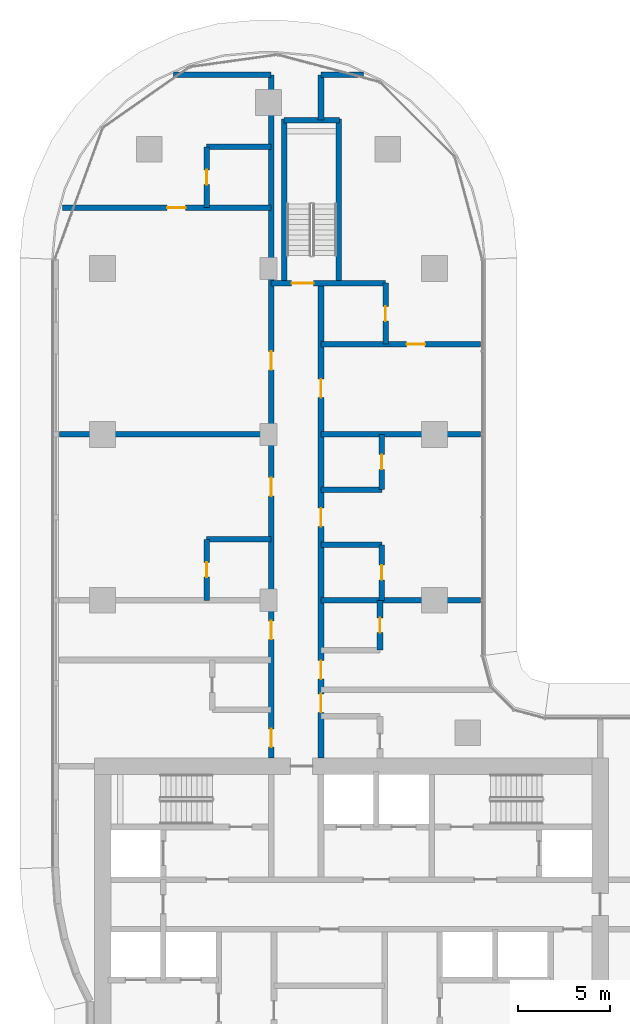
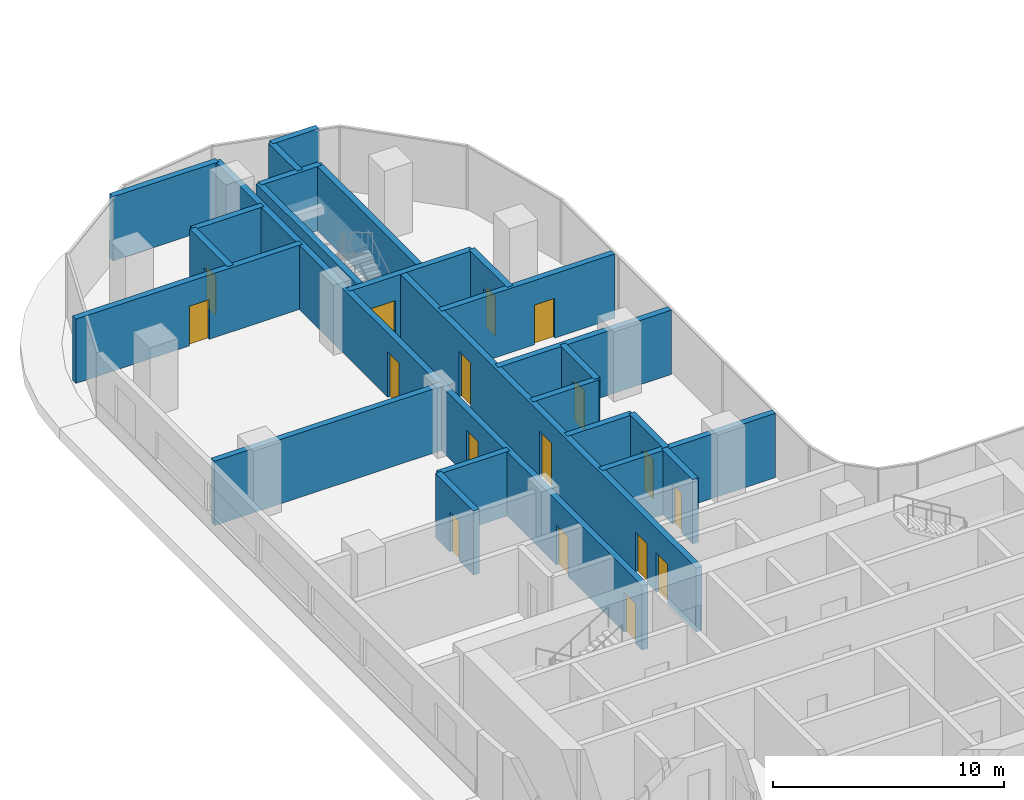
# One storey, part 21 of 36: 24 walls, 17 doors, 17 openings.
"""IFC4 building model written with IfcOpenShell, lengths in metres."""

from ifc_helpers import new_model, si_unit, direction, frame, frame_2d, origin, place, context, subcontext, project, spatial, rectangle, extrude, material, layer, layer_set, type_object, element, fill, save


model = new_model("IFC4")

# Units and contexts
model_context = context("Model", 3, precision=1e-05, world=origin(), true_north=direction((0.0, 1.0)))
body_context = subcontext(model_context, "Body", "Model", "MODEL_VIEW")
ifc_project = project(units=[si_unit("LENGTHUNIT", "METRE"), si_unit("AREAUNIT", "SQUARE_METRE"), si_unit("VOLUMEUNIT", "CUBIC_METRE"), si_unit("PLANEANGLEUNIT", "RADIAN"), si_unit("MASSUNIT", "GRAM", prefix="KILO")], contexts=[model_context])

# Site, building, storey
site_placement = place(None, origin())
site = spatial("IfcSite", under=ifc_project, at=site_placement, CompositionType="ELEMENT")
building_placement = place(site_placement, origin())
building = spatial("IfcBuilding", under=site, at=building_placement, Name="Ogive Portal Towers", CompositionType="ELEMENT")
storey_placement = place(building_placement, frame((0.0, 0.0, 63.10009765625)))
storey = spatial("IfcBuildingStorey", under=building, at=storey_placement, Name="L14", CompositionType="ELEMENT", Elevation=63.10009765625)

# Wall, opening, door
ifc_material_1 = material(Name="Concrete C50/60", Category="concrete")
ifc_layer_1 = layer(ifc_material_1, 0.300048828125)
ifc_layer_set_1 = layer_set([ifc_layer_1], Name="STAIR WALL 300 C50")
wall_type_1 = type_object("IfcWallType", Name="STAIR WALL 300 C50", PredefinedType="SHEAR", material=ifc_layer_set_1)
wall_1_placement = place(storey_placement, frame((40.64990234375, 65.699951171875, 0.0), z_axis=(0.0, 0.0, 1.0), x_axis=(1.0, 0.0, 0.0)))
wall_1 = element("IfcWall", 1, at=wall_1_placement, inside=storey, type_object=wall_type_1, Name="Stair wall ST-A3 L14", PredefinedType="SHEAR", context=body_context, shape_type="SweptSolid", body=[
    extrude(rectangle(XDim=6.2001953125, YDim=0.300048828125, at=frame_2d((3.10009765625, 0.0))), origin(), (0.0, 0.0, 1.0), 3.39990234375),
])
opening_1_placement = place(wall_1_placement, frame((1.10009765625, 0.0, 0.0)))
opening_1 = element("IfcOpeningElement", 2, at=opening_1_placement, cuts=wall_1, Name="Opening D04-064", PredefinedType="OPENING", context=body_context, shape_type="SweptSolid", body=[
    extrude(rectangle(XDim=1.199951171875, YDim=2.10009765625, at=frame_2d((0.60009765625, 1.050048828125))), frame((0.0, 0.16015625, 0.0), z_axis=(0.0, -1.0, 0.0), x_axis=(1.0, 0.0, 0.0)), (0.0, 0.0, 1.0), 0.320068359375),
])
ifc_material_2 = material(Name="Steel fire door", Category="steel")
door_type_1 = type_object("IfcDoorType", Name="DT-STAIR-1200x2100-FD90S", OperationType="SINGLE_SWING_LEFT", PredefinedType="DOOR", material=ifc_material_2)
door_1_placement = place(opening_1_placement, origin())
door_1 = element("IfcDoor", 3, at=door_1_placement, inside=storey, type_object=door_type_1, Name="Door D04-064", OperationType="SINGLE_SWING_RIGHT", OverallHeight=2.10009765625, OverallWidth=1.199951171875, PredefinedType="DOOR", context=body_context, shape_type="SweptSolid", body=[
    extrude(rectangle(XDim=1.199951171875, YDim=2.10009765625, at=frame_2d((0.60009765625, 1.050048828125))), frame((0.0, 0.02490234375, 0.0), z_axis=(0.0, -1.0, 0.0), x_axis=(1.0, 0.0, 0.0)), (0.0, 0.0, 1.0), 0.050048828125),
])
fill(opening_1, door_1)

# Walls
wall_2_placement = place(storey_placement, frame((41.35009765625, 74.550048828125, 0.0), z_axis=(0.0, 0.0, 1.0), x_axis=(1.0, 0.0, 0.0)))
element("IfcWall", 4, at=wall_2_placement, inside=storey, type_object=wall_type_1, Name="Stair wall ST-A3 L14", PredefinedType="SHEAR", context=body_context, shape_type="SweptSolid", body=[
    extrude(rectangle(XDim=3.0, YDim=0.300048828125, at=frame_2d((1.5, 0.0))), origin(), (0.0, 0.0, 1.0), 3.39990234375),
])
wall_3_placement = place(storey_placement, frame((41.35009765625, 65.75, 0.0), z_axis=(0.0, 0.0, 1.0), x_axis=(0.0, 1.0, 0.0)))
element("IfcWall", 5, at=wall_3_placement, inside=storey, type_object=wall_type_1, Name="Stair wall ST-A3 L14", PredefinedType="SHEAR", context=body_context, shape_type="SweptSolid", body=[
    extrude(rectangle(XDim=8.85009765625, YDim=0.300048828125, at=frame_2d((4.425048828125, 0.0))), origin(), (0.0, 0.0, 1.0), 3.39990234375),
])
wall_4_placement = place(storey_placement, frame((44.300048828125, 65.699951171875, 0.0), z_axis=(0.0, 0.0, 1.0), x_axis=(0.0, 1.0, 0.0)))
element("IfcWall", 6, at=wall_4_placement, inside=storey, type_object=wall_type_1, Name="Stair wall ST-A3 L14", PredefinedType="SHEAR", context=body_context, shape_type="SweptSolid", body=[
    extrude(rectangle(XDim=8.900146484375, YDim=0.300048828125, at=frame_2d((4.4501953125, 0.0))), origin(), (0.0, 0.0, 1.0), 3.39990234375),
])
ifc_material_3 = material(Name="Gypsum board partition on steel studs", Category="steel")
ifc_layer_2 = layer(ifc_material_3, 0.300048828125)
ifc_layer_set_2 = layer_set([ifc_layer_2], Name="WT-PART-300-EI 60")
wall_type_2 = type_object("IfcWallType", Name="WT-PART-300-EI 60", PredefinedType="PARTITIONING", material=ifc_layer_set_2)
wall_5_placement = place(storey_placement, frame((43.35009765625, 48.5, 0.0), z_axis=(0.0, 0.0, 1.0), x_axis=(1.0, 0.0, 0.0)))
element("IfcWall", 7, at=wall_5_placement, inside=storey, type_object=wall_type_2, Name="Wall L14:w020", PredefinedType="PARTITIONING", context=body_context, shape_type="SweptSolid", body=[
    extrude(rectangle(XDim=8.659912109375, YDim=0.300048828125, at=frame_2d((4.330078125, 0.0))), origin(), (0.0, 0.0, 1.0), 3.39990234375),
])
wall_6_placement = place(storey_placement, frame((43.35009765625, 51.5, 0.0), z_axis=(0.0, 0.0, 1.0), x_axis=(1.0, 0.0, 0.0)))
element("IfcWall", 8, at=wall_6_placement, inside=storey, type_object=wall_type_2, Name="Wall L14:w021", PredefinedType="PARTITIONING", context=body_context, shape_type="SweptSolid", body=[
    extrude(rectangle(XDim=3.2998046875, YDim=0.300048828125, at=frame_2d((1.64990234375, 0.0))), origin(), (0.0, 0.0, 1.0), 3.39990234375),
])
wall_7_placement = place(storey_placement, frame((37.14990234375, 51.800048828125, 0.0), z_axis=(0.0, 0.0, 1.0), x_axis=(1.0, 0.0, 0.0)))
element("IfcWall", 9, at=wall_7_placement, inside=storey, type_object=wall_type_2, Name="Wall L14:w022", PredefinedType="PARTITIONING", context=body_context, shape_type="SweptSolid", body=[
    extrude(rectangle(XDim=3.5, YDim=0.300048828125, at=frame_2d((1.75, 0.0))), origin(), (0.0, 0.0, 1.0), 3.39990234375),
])
wall_8_placement = place(storey_placement, frame((43.35009765625, 54.5, 0.0), z_axis=(0.0, 0.0, 1.0), x_axis=(1.0, 0.0, 0.0)))
element("IfcWall", 10, at=wall_8_placement, inside=storey, type_object=wall_type_2, Name="Wall L14:w023", PredefinedType="PARTITIONING", context=body_context, shape_type="SweptSolid", body=[
    extrude(rectangle(XDim=3.2998046875, YDim=0.300048828125, at=frame_2d((1.64990234375, 0.0))), origin(), (0.0, 0.0, 1.0), 3.39990234375),
])
wall_9_placement = place(storey_placement, frame((29.169921875, 57.5, 0.0), z_axis=(0.0, 0.0, 1.0), x_axis=(1.0, 0.0, 0.0)))
element("IfcWall", 11, at=wall_9_placement, inside=storey, type_object=wall_type_2, Name="Wall L14:w024", PredefinedType="PARTITIONING", context=body_context, shape_type="SweptSolid", body=[
    extrude(rectangle(XDim=11.47998046875, YDim=0.300048828125, at=frame_2d((5.739990234375, 0.0))), origin(), (0.0, 0.0, 1.0), 3.39990234375),
])
wall_10_placement = place(storey_placement, frame((43.35009765625, 57.5, 0.0), z_axis=(0.0, 0.0, 1.0), x_axis=(1.0, 0.0, 0.0)))
element("IfcWall", 12, at=wall_10_placement, inside=storey, type_object=wall_type_2, Name="Wall L14:w025", PredefinedType="PARTITIONING", context=body_context, shape_type="SweptSolid", body=[
    extrude(rectangle(XDim=8.659912109375, YDim=0.300048828125, at=frame_2d((4.330078125, 0.0))), origin(), (0.0, 0.0, 1.0), 3.39990234375),
])

# Wall, opening, door
wall_11_placement = place(storey_placement, frame((43.35009765625, 62.39990234375, 0.0), z_axis=(0.0, 0.0, 1.0), x_axis=(1.0, 0.0, 0.0)))
wall_11 = element("IfcWall", 13, at=wall_11_placement, inside=storey, type_object=wall_type_2, Name="Wall L14:w026", PredefinedType="PARTITIONING", context=body_context, shape_type="SweptSolid", body=[
    extrude(rectangle(XDim=8.659912109375, YDim=0.300048828125, at=frame_2d((4.330078125, 0.0))), origin(), (0.0, 0.0, 1.0), 3.39990234375),
])
opening_2_placement = place(wall_11_placement, frame((4.64990234375, 0.0, 0.0)))
opening_2 = element("IfcOpeningElement", 14, at=opening_2_placement, cuts=wall_11, Name="Opening D04-055", PredefinedType="OPENING", context=body_context, shape_type="SweptSolid", body=[
    extrude(rectangle(XDim=1.0, YDim=2.10009765625, at=frame_2d((0.5, 1.050048828125))), frame((0.0, 0.16015625, 0.0), z_axis=(0.0, -1.0, 0.0), x_axis=(1.0, 0.0, 0.0)), (0.0, 0.0, 1.0), 0.320068359375),
])
door_type_2 = type_object("IfcDoorType", Name="DT-ENTRY-1000x2100-FD60S", OperationType="SINGLE_SWING_LEFT", PredefinedType="DOOR", material=ifc_material_2)
door_2_placement = place(opening_2_placement, origin())
door_2 = element("IfcDoor", 15, at=door_2_placement, inside=storey, type_object=door_type_2, Name="Door D04-055", OperationType="SINGLE_SWING_RIGHT", OverallHeight=2.10009765625, OverallWidth=1.0, PredefinedType="DOOR", context=body_context, shape_type="SweptSolid", body=[
    extrude(rectangle(XDim=1.0, YDim=2.10009765625, at=frame_2d((0.5, 1.050048828125))), frame((0.0, 0.02490234375, 0.0), z_axis=(0.0, -1.0, 0.0), x_axis=(1.0, 0.0, 0.0)), (0.0, 0.0, 1.0), 0.050048828125),
])
fill(opening_2, door_2)

wall_12_placement = place(storey_placement, frame((29.3330078125, 69.800048828125, 0.0), z_axis=(0.0, 0.0, 1.0), x_axis=(1.0, 0.0, 0.0)))
wall_12 = element("IfcWall", 16, at=wall_12_placement, inside=storey, type_object=wall_type_2, Name="Wall L14:w028", PredefinedType="PARTITIONING", context=body_context, shape_type="SweptSolid", body=[
    extrude(rectangle(XDim=11.31689453125, YDim=0.300048828125, at=frame_2d((5.658447265625, 0.0))), origin(), (0.0, 0.0, 1.0), 3.39990234375),
])
opening_3_placement = place(wall_12_placement, frame((5.6669921875, 0.0, 0.0)))
opening_3 = element("IfcOpeningElement", 17, at=opening_3_placement, cuts=wall_12, Name="Opening D04-058", PredefinedType="OPENING", context=body_context, shape_type="SweptSolid", body=[
    extrude(rectangle(XDim=1.0, YDim=2.10009765625, at=frame_2d((0.5, 1.050048828125))), frame((0.0, 0.16015625, 0.0), z_axis=(0.0, -1.0, 0.0), x_axis=(1.0, 0.0, 0.0)), (0.0, 0.0, 1.0), 0.320068359375),
])
door_3_placement = place(opening_3_placement, origin())
door_3 = element("IfcDoor", 18, at=door_3_placement, inside=storey, type_object=door_type_2, Name="Door D04-058", OperationType="SINGLE_SWING_RIGHT", OverallHeight=2.10009765625, OverallWidth=1.0, PredefinedType="DOOR", context=body_context, shape_type="SweptSolid", body=[
    extrude(rectangle(XDim=1.0, YDim=2.10009765625, at=frame_2d((0.5, 1.050048828125))), frame((0.0, 0.02490234375, 0.0), z_axis=(0.0, -1.0, 0.0), x_axis=(1.0, 0.0, 0.0)), (0.0, 0.0, 1.0), 0.050048828125),
])
fill(opening_3, door_3)

# Walls
wall_13_placement = place(storey_placement, frame((37.14990234375, 73.10009765625, 0.0), z_axis=(0.0, 0.0, 1.0), x_axis=(1.0, 0.0, 0.0)))
element("IfcWall", 19, at=wall_13_placement, inside=storey, type_object=wall_type_2, Name="Wall L14:w029", PredefinedType="PARTITIONING", context=body_context, shape_type="SweptSolid", body=[
    extrude(rectangle(XDim=3.5, YDim=0.300048828125, at=frame_2d((1.75, 0.0))), origin(), (0.0, 0.0, 1.0), 3.39990234375),
])
wall_14_placement = place(storey_placement, frame((35.337890625, 77.0, 0.0), z_axis=(0.0, 0.0, 1.0), x_axis=(1.0, 0.0, 0.0)))
element("IfcWall", 20, at=wall_14_placement, inside=storey, type_object=wall_type_2, Name="Wall L14:w031", PredefinedType="PARTITIONING", context=body_context, shape_type="SweptSolid", body=[
    extrude(rectangle(XDim=5.31201171875, YDim=0.300048828125, at=frame_2d((2.656005859375, 0.0))), origin(), (0.0, 0.0, 1.0), 3.39990234375),
])
wall_15_placement = place(storey_placement, frame((43.35009765625, 77.0, 0.0), z_axis=(0.0, 0.0, 1.0), x_axis=(1.0, 0.0, 0.0)))
element("IfcWall", 21, at=wall_15_placement, inside=storey, type_object=wall_type_2, Name="Wall L14:w032", PredefinedType="PARTITIONING", context=body_context, shape_type="SweptSolid", body=[
    extrude(rectangle(XDim=2.31201171875, YDim=0.300048828125, at=frame_2d((1.156005859375, 0.0))), origin(), (0.0, 0.0, 1.0), 3.39990234375),
])

# Wall, opening, door
wall_16_placement = place(storey_placement, frame((37.14990234375, 48.5, 0.0), z_axis=(0.0, 0.0, 1.0), x_axis=(0.0, 1.0, 0.0)))
wall_16 = element("IfcWall", 22, at=wall_16_placement, inside=storey, type_object=wall_type_2, Name="Wall L14:w033", PredefinedType="PARTITIONING", context=body_context, shape_type="SweptSolid", body=[
    extrude(rectangle(XDim=3.300048828125, YDim=0.300048828125, at=frame_2d((1.64990234375, 0.0))), origin(), (0.0, 0.0, 1.0), 3.39990234375),
])
opening_4_placement = place(wall_16_placement, frame((1.25, 0.0, 0.0)))
opening_4 = element("IfcOpeningElement", 23, at=opening_4_placement, cuts=wall_16, Name="Opening D04-052", PredefinedType="OPENING", context=body_context, shape_type="SweptSolid", body=[
    extrude(rectangle(XDim=0.800048828125, YDim=2.10009765625, at=frame_2d((0.39990234375, 1.050048828125))), frame((0.0, 0.16015625, 0.0), z_axis=(0.0, -1.0, 0.0), x_axis=(1.0, 0.0, 0.0)), (0.0, 0.0, 1.0), 0.320068359375),
])
door_type_3 = type_object("IfcDoorType", Name="DT-BATH-800x2100-FD60S", OperationType="SINGLE_SWING_LEFT", PredefinedType="DOOR", material=ifc_material_2)
door_4_placement = place(opening_4_placement, origin())
door_4 = element("IfcDoor", 24, at=door_4_placement, inside=storey, type_object=door_type_3, Name="Door D04-052", OperationType="SINGLE_SWING_LEFT", OverallHeight=2.10009765625, OverallWidth=0.800048828125, PredefinedType="DOOR", context=body_context, shape_type="SweptSolid", body=[
    extrude(rectangle(XDim=0.800048828125, YDim=2.10009765625, at=frame_2d((0.39990234375, 1.050048828125))), frame((0.0, 0.02490234375, 0.0), z_axis=(0.0, -1.0, 0.0), x_axis=(1.0, 0.0, 0.0)), (0.0, 0.0, 1.0), 0.050048828125),
])
fill(opening_4, door_4)

wall_17_placement = place(storey_placement, frame((37.14990234375, 69.800048828125, 0.0), z_axis=(0.0, 0.0, 1.0), x_axis=(0.0, 1.0, 0.0)))
wall_17 = element("IfcWall", 25, at=wall_17_placement, inside=storey, type_object=wall_type_2, Name="Wall L14:w034", PredefinedType="PARTITIONING", context=body_context, shape_type="SweptSolid", body=[
    extrude(rectangle(XDim=3.300048828125, YDim=0.300048828125, at=frame_2d((1.64990234375, 0.0))), origin(), (0.0, 0.0, 1.0), 3.39990234375),
])
opening_5_placement = place(wall_17_placement, frame((1.25, 0.0, 0.0)))
opening_5 = element("IfcOpeningElement", 26, at=opening_5_placement, cuts=wall_17, Name="Opening D04-059", PredefinedType="OPENING", context=body_context, shape_type="SweptSolid", body=[
    extrude(rectangle(XDim=0.800048828125, YDim=2.10009765625, at=frame_2d((0.39990234375, 1.050048828125))), frame((0.0, 0.16015625, 0.0), z_axis=(0.0, -1.0, 0.0), x_axis=(1.0, 0.0, 0.0)), (0.0, 0.0, 1.0), 0.320068359375),
])
door_5_placement = place(opening_5_placement, origin())
door_5 = element("IfcDoor", 27, at=door_5_placement, inside=storey, type_object=door_type_3, Name="Door D04-059", OperationType="SINGLE_SWING_LEFT", OverallHeight=2.10009765625, OverallWidth=0.800048828125, PredefinedType="DOOR", context=body_context, shape_type="SweptSolid", body=[
    extrude(rectangle(XDim=0.800048828125, YDim=2.10009765625, at=frame_2d((0.39990234375, 1.050048828125))), frame((0.0, 0.02490234375, 0.0), z_axis=(0.0, -1.0, 0.0), x_axis=(1.0, 0.0, 0.0)), (0.0, 0.0, 1.0), 0.050048828125),
])
fill(opening_5, door_5)

# Wall, openings, doors
wall_18_placement = place(storey_placement, frame((40.64990234375, 39.949951171875, 0.0), z_axis=(0.0, 0.0, 1.0), x_axis=(0.0, 1.0, 0.0)))
wall_18 = element("IfcWall", 28, at=wall_18_placement, inside=storey, type_object=wall_type_2, Name="Wall L14:w036", PredefinedType="PARTITIONING", context=body_context, shape_type="SweptSolid", body=[
    extrude(rectangle(XDim=37.050048828125, YDim=0.300048828125, at=frame_2d((18.52490234375, 0.0))), origin(), (0.0, 0.0, 1.0), 3.39990234375),
])
opening_6_placement = place(wall_18_placement, frame((0.580078125, 0.0, 0.0)))
opening_6 = element("IfcOpeningElement", 29, at=opening_6_placement, cuts=wall_18, Name="Opening D04-047", PredefinedType="OPENING", context=body_context, shape_type="SweptSolid", body=[
    extrude(rectangle(XDim=1.0, YDim=2.10009765625, at=frame_2d((0.5, 1.050048828125))), frame((0.0, 0.16015625, 0.0), z_axis=(0.0, -1.0, 0.0), x_axis=(1.0, 0.0, 0.0)), (0.0, 0.0, 1.0), 0.320068359375),
])
opening_7_placement = place(wall_18_placement, frame((6.429931640625, 0.0, 0.0)))
opening_7 = element("IfcOpeningElement", 30, at=opening_7_placement, cuts=wall_18, Name="Opening D04-048", PredefinedType="OPENING", context=body_context, shape_type="SweptSolid", body=[
    extrude(rectangle(XDim=1.0, YDim=2.10009765625, at=frame_2d((0.5, 1.050048828125))), frame((0.0, 0.16015625, 0.0), z_axis=(0.0, -1.0, 0.0), x_axis=(1.0, 0.0, 0.0)), (0.0, 0.0, 1.0), 0.320068359375),
])
opening_8_placement = place(wall_18_placement, frame((14.199951171875, 0.0, 0.0)))
opening_8 = element("IfcOpeningElement", 31, at=opening_8_placement, cuts=wall_18, Name="Opening D04-053", PredefinedType="OPENING", context=body_context, shape_type="SweptSolid", body=[
    extrude(rectangle(XDim=1.0, YDim=2.39990234375, at=frame_2d((0.5, 1.199951171875))), frame((0.0, 0.16015625, 0.0), z_axis=(0.0, -1.0, 0.0), x_axis=(1.0, 0.0, 0.0)), (0.0, 0.0, 1.0), 0.320068359375),
])
opening_9_placement = place(wall_18_placement, frame((21.050048828125, 0.0, 0.0)))
opening_9 = element("IfcOpeningElement", 32, at=opening_9_placement, cuts=wall_18, Name="Opening D04-057", PredefinedType="OPENING", context=body_context, shape_type="SweptSolid", body=[
    extrude(rectangle(XDim=1.0, YDim=2.39990234375, at=frame_2d((0.5, 1.199951171875))), frame((0.0, 0.16015625, 0.0), z_axis=(0.0, -1.0, 0.0), x_axis=(1.0, 0.0, 0.0)), (0.0, 0.0, 1.0), 0.320068359375),
])
door_6_placement = place(opening_6_placement, origin())
door_6 = element("IfcDoor", 33, at=door_6_placement, inside=storey, type_object=door_type_2, Name="Door D04-047", OperationType="SINGLE_SWING_RIGHT", OverallHeight=2.10009765625, OverallWidth=1.0, PredefinedType="DOOR", context=body_context, shape_type="SweptSolid", body=[
    extrude(rectangle(XDim=1.0, YDim=2.10009765625, at=frame_2d((0.5, 1.050048828125))), frame((0.0, 0.02490234375, 0.0), z_axis=(0.0, -1.0, 0.0), x_axis=(1.0, 0.0, 0.0)), (0.0, 0.0, 1.0), 0.050048828125),
])
fill(opening_6, door_6)
door_7_placement = place(opening_7_placement, origin())
door_7 = element("IfcDoor", 34, at=door_7_placement, inside=storey, type_object=door_type_2, Name="Door D04-048", OperationType="SINGLE_SWING_LEFT", OverallHeight=2.10009765625, OverallWidth=1.0, PredefinedType="DOOR", context=body_context, shape_type="SweptSolid", body=[
    extrude(rectangle(XDim=1.0, YDim=2.10009765625, at=frame_2d((0.5, 1.050048828125))), frame((0.0, 0.02490234375, 0.0), z_axis=(0.0, -1.0, 0.0), x_axis=(1.0, 0.0, 0.0)), (0.0, 0.0, 1.0), 0.050048828125),
])
fill(opening_7, door_7)
door_type_4 = type_object("IfcDoorType", Name="DT-ENTRY-1000x2400-FD60S", OperationType="SINGLE_SWING_LEFT", PredefinedType="DOOR", material=ifc_material_2)
door_8_placement = place(opening_8_placement, origin())
door_8 = element("IfcDoor", 35, at=door_8_placement, inside=storey, type_object=door_type_4, Name="Door D04-053", OperationType="SINGLE_SWING_RIGHT", OverallHeight=2.39990234375, OverallWidth=1.0, PredefinedType="DOOR", context=body_context, shape_type="SweptSolid", body=[
    extrude(rectangle(XDim=1.0, YDim=2.39990234375, at=frame_2d((0.5, 1.199951171875))), frame((0.0, 0.02490234375, 0.0), z_axis=(0.0, -1.0, 0.0), x_axis=(1.0, 0.0, 0.0)), (0.0, 0.0, 1.0), 0.050048828125),
])
fill(opening_8, door_8)
door_9_placement = place(opening_9_placement, origin())
door_9 = element("IfcDoor", 36, at=door_9_placement, inside=storey, type_object=door_type_4, Name="Door D04-057", OperationType="SINGLE_SWING_LEFT", OverallHeight=2.39990234375, OverallWidth=1.0, PredefinedType="DOOR", context=body_context, shape_type="SweptSolid", body=[
    extrude(rectangle(XDim=1.0, YDim=2.39990234375, at=frame_2d((0.5, 1.199951171875))), frame((0.0, 0.02490234375, 0.0), z_axis=(0.0, -1.0, 0.0), x_axis=(1.0, 0.0, 0.0)), (0.0, 0.0, 1.0), 0.050048828125),
])
fill(opening_9, door_9)

# Wall, opening, door
wall_19_placement = place(storey_placement, frame((46.550048828125, 45.800048828125, 0.0), z_axis=(0.0, 0.0, 1.0), x_axis=(0.0, 1.0, 0.0)))
wall_19 = element("IfcWall", 37, at=wall_19_placement, inside=storey, type_object=wall_type_2, Name="Wall L14:w042", PredefinedType="PARTITIONING", context=body_context, shape_type="SweptSolid", body=[
    extrude(rectangle(XDim=2.699951171875, YDim=0.300048828125, at=frame_2d((1.35009765625, 0.0))), origin(), (0.0, 0.0, 1.0), 3.39990234375),
])
opening_10_placement = place(wall_19_placement, frame((0.949951171875, 0.0, 0.0)))
opening_10 = element("IfcOpeningElement", 38, at=opening_10_placement, cuts=wall_19, Name="Opening D04-044", PredefinedType="OPENING", context=body_context, shape_type="SweptSolid", body=[
    extrude(rectangle(XDim=0.800048828125, YDim=2.10009765625, at=frame_2d((0.39990234375, 1.050048828125))), frame((0.0, 0.16015625, 0.0), z_axis=(0.0, -1.0, 0.0), x_axis=(1.0, 0.0, 0.0)), (0.0, 0.0, 1.0), 0.320068359375),
])
door_10_placement = place(opening_10_placement, origin())
door_10 = element("IfcDoor", 39, at=door_10_placement, inside=storey, type_object=door_type_3, Name="Door D04-044", OperationType="SINGLE_SWING_LEFT", OverallHeight=2.10009765625, OverallWidth=0.800048828125, PredefinedType="DOOR", context=body_context, shape_type="SweptSolid", body=[
    extrude(rectangle(XDim=0.800048828125, YDim=2.10009765625, at=frame_2d((0.39990234375, 1.050048828125))), frame((0.0, 0.02490234375, 0.0), z_axis=(0.0, -1.0, 0.0), x_axis=(1.0, 0.0, 0.0)), (0.0, 0.0, 1.0), 0.050048828125),
])
fill(opening_10, door_10)

wall_20_placement = place(storey_placement, frame((46.64990234375, 48.5, 0.0), z_axis=(0.0, 0.0, 1.0), x_axis=(0.0, 1.0, 0.0)))
wall_20 = element("IfcWall", 40, at=wall_20_placement, inside=storey, type_object=wall_type_2, Name="Wall L14:w043", PredefinedType="PARTITIONING", context=body_context, shape_type="SweptSolid", body=[
    extrude(rectangle(XDim=3.0, YDim=0.300048828125, at=frame_2d((1.5, 0.0))), origin(), (0.0, 0.0, 1.0), 3.39990234375),
])
opening_11_placement = place(wall_20_placement, frame((1.10009765625, 0.0, 0.0)))
opening_11 = element("IfcOpeningElement", 41, at=opening_11_placement, cuts=wall_20, Name="Opening D04-049", PredefinedType="OPENING", context=body_context, shape_type="SweptSolid", body=[
    extrude(rectangle(XDim=0.800048828125, YDim=2.10009765625, at=frame_2d((0.39990234375, 1.050048828125))), frame((0.0, 0.16015625, 0.0), z_axis=(0.0, -1.0, 0.0), x_axis=(1.0, 0.0, 0.0)), (0.0, 0.0, 1.0), 0.320068359375),
])
door_11_placement = place(opening_11_placement, origin())
door_11 = element("IfcDoor", 42, at=door_11_placement, inside=storey, type_object=door_type_3, Name="Door D04-049", OperationType="SINGLE_SWING_LEFT", OverallHeight=2.10009765625, OverallWidth=0.800048828125, PredefinedType="DOOR", context=body_context, shape_type="SweptSolid", body=[
    extrude(rectangle(XDim=0.800048828125, YDim=2.10009765625, at=frame_2d((0.39990234375, 1.050048828125))), frame((0.0, 0.02490234375, 0.0), z_axis=(0.0, -1.0, 0.0), x_axis=(1.0, 0.0, 0.0)), (0.0, 0.0, 1.0), 0.050048828125),
])
fill(opening_11, door_11)

wall_21_placement = place(storey_placement, frame((46.64990234375, 54.5, 0.0), z_axis=(0.0, 0.0, 1.0), x_axis=(0.0, 1.0, 0.0)))
wall_21 = element("IfcWall", 43, at=wall_21_placement, inside=storey, type_object=wall_type_2, Name="Wall L14:w044", PredefinedType="PARTITIONING", context=body_context, shape_type="SweptSolid", body=[
    extrude(rectangle(XDim=3.0, YDim=0.300048828125, at=frame_2d((1.5, 0.0))), origin(), (0.0, 0.0, 1.0), 3.39990234375),
])
opening_12_placement = place(wall_21_placement, frame((1.10009765625, 0.0, 0.0)))
opening_12 = element("IfcOpeningElement", 44, at=opening_12_placement, cuts=wall_21, Name="Opening D04-050", PredefinedType="OPENING", context=body_context, shape_type="SweptSolid", body=[
    extrude(rectangle(XDim=0.800048828125, YDim=2.10009765625, at=frame_2d((0.39990234375, 1.050048828125))), frame((0.0, 0.16015625, 0.0), z_axis=(0.0, -1.0, 0.0), x_axis=(1.0, 0.0, 0.0)), (0.0, 0.0, 1.0), 0.320068359375),
])
door_12_placement = place(opening_12_placement, origin())
door_12 = element("IfcDoor", 45, at=door_12_placement, inside=storey, type_object=door_type_3, Name="Door D04-050", OperationType="SINGLE_SWING_LEFT", OverallHeight=2.10009765625, OverallWidth=0.800048828125, PredefinedType="DOOR", context=body_context, shape_type="SweptSolid", body=[
    extrude(rectangle(XDim=0.800048828125, YDim=2.10009765625, at=frame_2d((0.39990234375, 1.050048828125))), frame((0.0, 0.02490234375, 0.0), z_axis=(0.0, -1.0, 0.0), x_axis=(1.0, 0.0, 0.0)), (0.0, 0.0, 1.0), 0.050048828125),
])
fill(opening_12, door_12)

wall_22_placement = place(storey_placement, frame((46.85009765625, 62.39990234375, 0.0), z_axis=(0.0, 0.0, 1.0), x_axis=(0.0, 1.0, 0.0)))
wall_22 = element("IfcWall", 46, at=wall_22_placement, inside=storey, type_object=wall_type_2, Name="Wall L14:w045", PredefinedType="PARTITIONING", context=body_context, shape_type="SweptSolid", body=[
    extrude(rectangle(XDim=3.300048828125, YDim=0.300048828125, at=frame_2d((1.64990234375, 0.0))), origin(), (0.0, 0.0, 1.0), 3.39990234375),
])
opening_13_placement = place(wall_22_placement, frame((1.25, 0.0, 0.0)))
opening_13 = element("IfcOpeningElement", 47, at=opening_13_placement, cuts=wall_22, Name="Opening D04-056", PredefinedType="OPENING", context=body_context, shape_type="SweptSolid", body=[
    extrude(rectangle(XDim=0.800048828125, YDim=2.10009765625, at=frame_2d((0.39990234375, 1.050048828125))), frame((0.0, 0.16015625, 0.0), z_axis=(0.0, -1.0, 0.0), x_axis=(1.0, 0.0, 0.0)), (0.0, 0.0, 1.0), 0.320068359375),
])
door_13_placement = place(opening_13_placement, origin())
door_13 = element("IfcDoor", 48, at=door_13_placement, inside=storey, type_object=door_type_3, Name="Door D04-056", OperationType="SINGLE_SWING_LEFT", OverallHeight=2.10009765625, OverallWidth=0.800048828125, PredefinedType="DOOR", context=body_context, shape_type="SweptSolid", body=[
    extrude(rectangle(XDim=0.800048828125, YDim=2.10009765625, at=frame_2d((0.39990234375, 1.050048828125))), frame((0.0, 0.02490234375, 0.0), z_axis=(0.0, -1.0, 0.0), x_axis=(1.0, 0.0, 0.0)), (0.0, 0.0, 1.0), 0.050048828125),
])
fill(opening_13, door_13)

# Wall, openings, doors
ifc_material_4 = material(Name="Concrete C40/50", Category="concrete")
ifc_layer_3 = layer(ifc_material_4, 0.300048828125)
ifc_layer_set_3 = layer_set([ifc_layer_3], Name="WT-SHAFT-300")
wall_type_3 = type_object("IfcWallType", Name="WT-SHAFT-300", PredefinedType="SOLIDWALL", material=ifc_layer_set_3)
wall_23_placement = place(storey_placement, frame((43.35009765625, 39.949951171875, 0.0), z_axis=(0.0, 0.0, 1.0), x_axis=(0.0, 1.0, 0.0)))
wall_23 = element("IfcWall", 49, at=wall_23_placement, inside=storey, type_object=wall_type_3, Name="Wall L14:w038", PredefinedType="SOLIDWALL", context=body_context, shape_type="SweptSolid", body=[
    extrude(rectangle(XDim=25.800048828125, YDim=0.300048828125, at=frame_2d((12.89990234375, 0.0))), origin(), (0.0, 0.0, 1.0), 3.39990234375),
])
opening_14_placement = place(wall_23_placement, frame((2.469970703125, 0.0, 0.0)))
opening_14 = element("IfcOpeningElement", 50, at=opening_14_placement, cuts=wall_23, Name="Opening D04-043", PredefinedType="OPENING", context=body_context, shape_type="SweptSolid", body=[
    extrude(rectangle(XDim=1.0, YDim=2.10009765625, at=frame_2d((0.5, 1.050048828125))), frame((0.0, 0.16015625, 0.0), z_axis=(0.0, -1.0, 0.0), x_axis=(1.0, 0.0, 0.0)), (0.0, 0.0, 1.0), 0.320068359375),
])
opening_15_placement = place(wall_23_placement, frame((4.27001953125, 0.0, 0.0)))
opening_15 = element("IfcOpeningElement", 51, at=opening_15_placement, cuts=wall_23, Name="Opening D04-045", PredefinedType="OPENING", context=body_context, shape_type="SweptSolid", body=[
    extrude(rectangle(XDim=1.0, YDim=2.10009765625, at=frame_2d((0.5, 1.050048828125))), frame((0.0, 0.16015625, 0.0), z_axis=(0.0, -1.0, 0.0), x_axis=(1.0, 0.0, 0.0)), (0.0, 0.0, 1.0), 0.320068359375),
])
opening_16_placement = place(wall_23_placement, frame((12.550048828125, 0.0, 0.0)))
opening_16 = element("IfcOpeningElement", 52, at=opening_16_placement, cuts=wall_23, Name="Opening D04-051", PredefinedType="OPENING", context=body_context, shape_type="SweptSolid", body=[
    extrude(rectangle(XDim=1.0, YDim=2.39990234375, at=frame_2d((0.5, 1.199951171875))), frame((0.0, 0.16015625, 0.0), z_axis=(0.0, -1.0, 0.0), x_axis=(1.0, 0.0, 0.0)), (0.0, 0.0, 1.0), 0.320068359375),
])
opening_17_placement = place(wall_23_placement, frame((19.550048828125, 0.0, 0.0)))
opening_17 = element("IfcOpeningElement", 53, at=opening_17_placement, cuts=wall_23, Name="Opening D04-054", PredefinedType="OPENING", context=body_context, shape_type="SweptSolid", body=[
    extrude(rectangle(XDim=1.0, YDim=2.39990234375, at=frame_2d((0.5, 1.199951171875))), frame((0.0, 0.16015625, 0.0), z_axis=(0.0, -1.0, 0.0), x_axis=(1.0, 0.0, 0.0)), (0.0, 0.0, 1.0), 0.320068359375),
])
door_type_5 = type_object("IfcDoorType", Name="DT-ENTRY-1000x2100-FD90S", OperationType="SINGLE_SWING_LEFT", PredefinedType="DOOR", material=ifc_material_2)
door_14_placement = place(opening_14_placement, origin())
door_14 = element("IfcDoor", 54, at=door_14_placement, inside=storey, type_object=door_type_5, Name="Door D04-043", OperationType="SINGLE_SWING_LEFT", OverallHeight=2.10009765625, OverallWidth=1.0, PredefinedType="DOOR", context=body_context, shape_type="SweptSolid", body=[
    extrude(rectangle(XDim=1.0, YDim=2.10009765625, at=frame_2d((0.5, 1.050048828125))), frame((0.0, 0.02490234375, 0.0), z_axis=(0.0, -1.0, 0.0), x_axis=(1.0, 0.0, 0.0)), (0.0, 0.0, 1.0), 0.050048828125),
])
fill(opening_14, door_14)
door_15_placement = place(opening_15_placement, origin())
door_15 = element("IfcDoor", 55, at=door_15_placement, inside=storey, type_object=door_type_5, Name="Door D04-045", OperationType="SINGLE_SWING_LEFT", OverallHeight=2.10009765625, OverallWidth=1.0, PredefinedType="DOOR", context=body_context, shape_type="SweptSolid", body=[
    extrude(rectangle(XDim=1.0, YDim=2.10009765625, at=frame_2d((0.5, 1.050048828125))), frame((0.0, 0.02490234375, 0.0), z_axis=(0.0, -1.0, 0.0), x_axis=(1.0, 0.0, 0.0)), (0.0, 0.0, 1.0), 0.050048828125),
])
fill(opening_15, door_15)
door_type_6 = type_object("IfcDoorType", Name="DT-ENTRY-1000x2400-FD90S", OperationType="SINGLE_SWING_LEFT", PredefinedType="DOOR", material=ifc_material_2)
door_16_placement = place(opening_16_placement, origin())
door_16 = element("IfcDoor", 56, at=door_16_placement, inside=storey, type_object=door_type_6, Name="Door D04-051", OperationType="SINGLE_SWING_RIGHT", OverallHeight=2.39990234375, OverallWidth=1.0, PredefinedType="DOOR", context=body_context, shape_type="SweptSolid", body=[
    extrude(rectangle(XDim=1.0, YDim=2.39990234375, at=frame_2d((0.5, 1.199951171875))), frame((0.0, 0.02490234375, 0.0), z_axis=(0.0, -1.0, 0.0), x_axis=(1.0, 0.0, 0.0)), (0.0, 0.0, 1.0), 0.050048828125),
])
fill(opening_16, door_16)
door_17_placement = place(opening_17_placement, origin())
door_17 = element("IfcDoor", 57, at=door_17_placement, inside=storey, type_object=door_type_6, Name="Door D04-054", OperationType="SINGLE_SWING_LEFT", OverallHeight=2.39990234375, OverallWidth=1.0, PredefinedType="DOOR", context=body_context, shape_type="SweptSolid", body=[
    extrude(rectangle(XDim=1.0, YDim=2.39990234375, at=frame_2d((0.5, 1.199951171875))), frame((0.0, 0.02490234375, 0.0), z_axis=(0.0, -1.0, 0.0), x_axis=(1.0, 0.0, 0.0)), (0.0, 0.0, 1.0), 0.050048828125),
])
fill(opening_17, door_17)

# Wall
wall_24_placement = place(storey_placement, frame((43.35009765625, 74.550048828125, 0.0), z_axis=(0.0, 0.0, 1.0), x_axis=(0.0, 1.0, 0.0)))
element("IfcWall", 58, at=wall_24_placement, inside=storey, type_object=wall_type_3, Name="Wall L14:w039", PredefinedType="SOLIDWALL", context=body_context, shape_type="SweptSolid", body=[
    extrude(rectangle(XDim=2.449951171875, YDim=0.300048828125, at=frame_2d((1.22509765625, 0.0))), origin(), (0.0, 0.0, 1.0), 3.39990234375),
])

save(model, "model.ifc")
